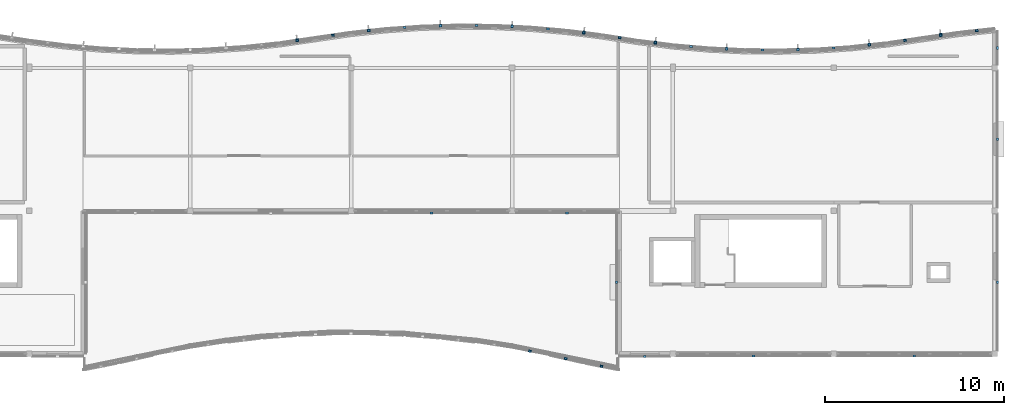
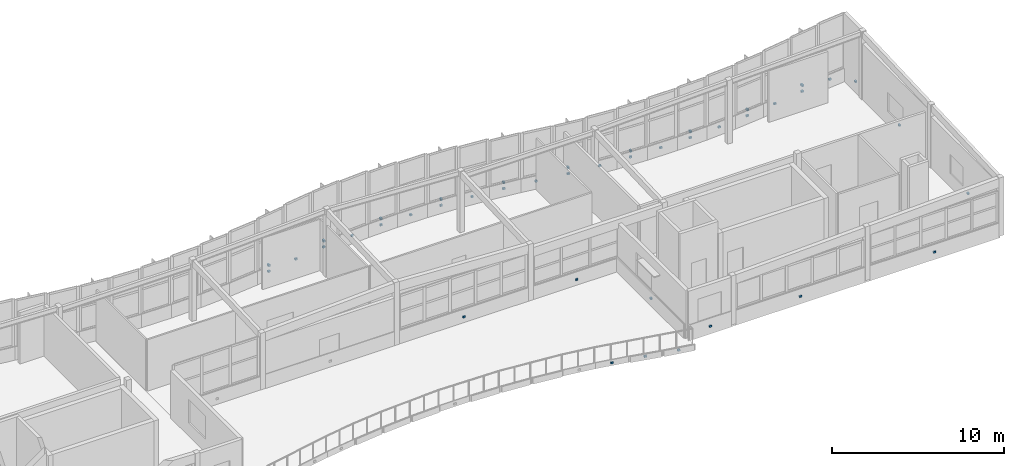
# One storey, part 17 of 20: 42 discrete accessories.
"""IFC4 building model written with IfcOpenShell, lengths in metres."""

from ifc_helpers import new_model, si_unit, direction, frame, origin, origin_2d, place, context, subcontext, project, spatial, rectangle, extrude, material, type_object, element, save


model = new_model("IFC4")

# Units and contexts
model_context = context("Model", 3, precision=1e-05, world=origin(), true_north=direction((0.0, 1.0)))
body_context = subcontext(model_context, "Body", "Model", "MODEL_VIEW")
ifc_project = project(units=[si_unit("LENGTHUNIT", "METRE"), si_unit("AREAUNIT", "SQUARE_METRE"), si_unit("VOLUMEUNIT", "CUBIC_METRE"), si_unit("PLANEANGLEUNIT", "RADIAN"), si_unit("MASSUNIT", "GRAM", prefix="KILO")], contexts=[model_context])

# Site, building, storey
site_placement = place(None, origin())
site = spatial("IfcSite", under=ifc_project, at=site_placement, CompositionType="ELEMENT")
building_placement = place(site_placement, origin())
building = spatial("IfcBuilding", under=site, at=building_placement, Name="Tonlespit Floodbar School", CompositionType="ELEMENT")
storey_placement = place(building_placement, frame((0.0, 0.0, 20.10009765625)))
storey = spatial("IfcBuildingStorey", under=building, at=storey_placement, Name="L05", CompositionType="ELEMENT", Elevation=20.10009765625)

# Discrete accessories
ifc_material = material(Name="Galvanised Steel", Category="steel")
discrete_accessory_type = type_object("IfcDiscreteAccessoryType", Name="Bracket_Facade_S355", PredefinedType="BRACKET", material=ifc_material)
discrete_accessory_1_placement = place(storey_placement, frame((76.981201171875, 121.53271484375, 0.354736328125), z_axis=(0.0, 0.0, 1.0), x_axis=(0.989537627347, 0.144275029245, 0.0)))
element("IfcDiscreteAccessory", 1, at=discrete_accessory_1_placement, inside=storey, type_object=discrete_accessory_type, Name="L05 white band support bracket 0412", PredefinedType="BRACKET", context=body_context, shape_type="SweptSolid", body=[
    extrude(rectangle(XDim=0.159912109375, YDim=0.1201171875, at=origin_2d()), origin(), (0.0, 0.0, 1.0), 0.1201171875),
])
discrete_accessory_2_placement = place(storey_placement, frame((76.979736328125, 121.542724609375, 0.77978515625), z_axis=(0.0, 0.0, 1.0), x_axis=(0.989537627347, 0.144275029245, 0.0)))
element("IfcDiscreteAccessory", 2, at=discrete_accessory_2_placement, inside=storey, type_object=discrete_accessory_type, Name="Solar fin support bracket 101", PredefinedType="BRACKET", context=body_context, shape_type="SweptSolid", body=[
    extrude(rectangle(XDim=0.1201171875, YDim=0.179931640625, at=origin_2d()), origin(), (0.0, 0.0, 1.0), 0.139892578125),
])
for number, where, z_axis, x_axis, name in (
    (3, (78.981201171875, 121.824462890625, 0.354736328125), (0.0, 0.0, 1.0), (0.989537627347, 0.144275029245, 0.0), "L05 white band support bracket 0414"),
    (4, (80.986328125, 122.0771484375, 0.354736328125), (0.0, 0.0, 1.0), (0.99439234017, 0.105753835922, 0.0), "L05 white band support bracket 0416"),
):
    element("IfcDiscreteAccessory", number, at=place(storey_placement, frame(where, z_axis=z_axis, x_axis=x_axis)), inside=storey, type_object=discrete_accessory_type, Name=name, PredefinedType="BRACKET", context=body_context, shape_type="SweptSolid", body=[
        extrude(rectangle(XDim=0.159912109375, YDim=0.1201171875, at=origin_2d()), origin(), (0.0, 0.0, 1.0), 0.1201171875),
    ])
discrete_accessory_3_placement = place(storey_placement, frame((80.985107421875, 122.087158203125, 0.77978515625), z_axis=(0.0, 0.0, 1.0), x_axis=(0.99439234017, 0.105753835922, 0.0)))
element("IfcDiscreteAccessory", 5, at=discrete_accessory_3_placement, inside=storey, type_object=discrete_accessory_type, Name="Solar fin support bracket 102", PredefinedType="BRACKET", context=body_context, shape_type="SweptSolid", body=[
    extrude(rectangle(XDim=0.1201171875, YDim=0.179931640625, at=origin_2d()), origin(), (0.0, 0.0, 1.0), 0.139892578125),
])
for number, where, z_axis, x_axis, name in (
    (6, (82.9912109375, 122.25146484375, 0.354736328125), (0.0, 0.0, 1.0), (0.997729639049, 0.067346621018, 0.0), "L05 white band support bracket 0418"),
    (7, (84.996337890625, 122.34814453125, 0.354736328125), (0.0, 0.0, 1.0), (0.999584110869, 0.02883756748, 0.0), "L05 white band support bracket 0420"),
):
    element("IfcDiscreteAccessory", number, at=place(storey_placement, frame(where, z_axis=z_axis, x_axis=x_axis)), inside=storey, type_object=discrete_accessory_type, Name=name, PredefinedType="BRACKET", context=body_context, shape_type="SweptSolid", body=[
        extrude(rectangle(XDim=0.159912109375, YDim=0.1201171875, at=origin_2d()), origin(), (0.0, 0.0, 1.0), 0.1201171875),
    ])
discrete_accessory_4_placement = place(storey_placement, frame((84.99609375, 122.358154296875, 0.77978515625), z_axis=(0.0, 0.0, 1.0), x_axis=(0.999584110869, 0.02883756748, 0.0)))
element("IfcDiscreteAccessory", 8, at=discrete_accessory_4_placement, inside=storey, type_object=discrete_accessory_type, Name="Solar fin support bracket 103", PredefinedType="BRACKET", context=body_context, shape_type="SweptSolid", body=[
    extrude(rectangle(XDim=0.1201171875, YDim=0.179931640625, at=origin_2d()), origin(), (0.0, 0.0, 1.0), 0.139892578125),
])
for number, where, z_axis, x_axis, name in (
    (9, (87.001220703125, 122.367431640625, 0.354736328125), (0.0, 0.0, 1.0), (0.999953926969, -0.009599163462, 0.0), "L05 white band support bracket 0422"),
    (10, (89.00634765625, 122.3095703125, 0.354736328125), (0.0, 0.0, 1.0), (0.998842769234, -0.048094930587, 0.0), "L05 white band support bracket 0424"),
):
    element("IfcDiscreteAccessory", number, at=place(storey_placement, frame(where, z_axis=z_axis, x_axis=x_axis)), inside=storey, type_object=discrete_accessory_type, Name=name, PredefinedType="BRACKET", context=body_context, shape_type="SweptSolid", body=[
        extrude(rectangle(XDim=0.159912109375, YDim=0.1201171875, at=origin_2d()), origin(), (0.0, 0.0, 1.0), 0.1201171875),
    ])
discrete_accessory_5_placement = place(storey_placement, frame((89.006591796875, 122.319580078125, 0.77978515625), z_axis=(0.0, 0.0, 1.0), x_axis=(0.998842769234, -0.048094930587, 0.0)))
element("IfcDiscreteAccessory", 11, at=discrete_accessory_5_placement, inside=storey, type_object=discrete_accessory_type, Name="Solar fin support bracket 104", PredefinedType="BRACKET", context=body_context, shape_type="SweptSolid", body=[
    extrude(rectangle(XDim=0.1201171875, YDim=0.179931640625, at=origin_2d()), origin(), (0.0, 0.0, 1.0), 0.139892578125),
])
for number, where, z_axis, x_axis, name in (
    (12, (91.01123046875, 122.174072265625, 0.354736328125), (0.0, 0.0, 1.0), (0.996245486492, -0.086573267488, 0.0), "L05 white band support bracket 0426"),
    (13, (93.016357421875, 121.960693359375, 0.354736328125), (0.0, 0.0, 1.0), (0.99215533612, -0.125011155539, 0.0), "L05 white band support bracket 0428"),
):
    element("IfcDiscreteAccessory", number, at=place(storey_placement, frame(where, z_axis=z_axis, x_axis=x_axis)), inside=storey, type_object=discrete_accessory_type, Name=name, PredefinedType="BRACKET", context=body_context, shape_type="SweptSolid", body=[
        extrude(rectangle(XDim=0.159912109375, YDim=0.1201171875, at=origin_2d()), origin(), (0.0, 0.0, 1.0), 0.1201171875),
    ])
discrete_accessory_6_placement = place(storey_placement, frame((93.017578125, 121.970703125, 0.77978515625), z_axis=(0.0, 0.0, 1.0), x_axis=(0.99215533612, -0.125011155539, 0.0)))
element("IfcDiscreteAccessory", 14, at=discrete_accessory_6_placement, inside=storey, type_object=discrete_accessory_type, Name="Solar fin support bracket 105", PredefinedType="BRACKET", context=body_context, shape_type="SweptSolid", body=[
    extrude(rectangle(XDim=0.1201171875, YDim=0.179931640625, at=origin_2d()), origin(), (0.0, 0.0, 1.0), 0.139892578125),
])
for number, where, z_axis, x_axis, name in (
    (15, (95.02001953125, 121.678466796875, 0.354736328125), (0.0, 0.0, 1.0), (0.988094768361, -0.153846445322, 0.0), "L05 white band support bracket 0430"),
    (16, (97.016357421875, 121.397216796875, 0.354736328125), (0.0, 0.0, 1.0), (0.99215533612, -0.125011155539, 0.0), "L05 white band support bracket 0432"),
):
    element("IfcDiscreteAccessory", number, at=place(storey_placement, frame(where, z_axis=z_axis, x_axis=x_axis)), inside=storey, type_object=discrete_accessory_type, Name=name, PredefinedType="BRACKET", context=body_context, shape_type="SweptSolid", body=[
        extrude(rectangle(XDim=0.159912109375, YDim=0.1201171875, at=origin_2d()), origin(), (0.0, 0.0, 1.0), 0.1201171875),
    ])
discrete_accessory_7_placement = place(storey_placement, frame((97.017578125, 121.4072265625, 0.77978515625), z_axis=(0.0, 0.0, 1.0), x_axis=(0.99215533612, -0.125011155539, 0.0)))
element("IfcDiscreteAccessory", 17, at=discrete_accessory_7_placement, inside=storey, type_object=discrete_accessory_type, Name="Solar fin support bracket 106", PredefinedType="BRACKET", context=body_context, shape_type="SweptSolid", body=[
    extrude(rectangle(XDim=0.1201171875, YDim=0.179931640625, at=origin_2d()), origin(), (0.0, 0.0, 1.0), 0.139892578125),
])
for number, where, z_axis, x_axis, name in (
    (18, (99.01123046875, 121.184814453125, 0.354736328125), (0.0, 0.0, 1.0), (0.996245486492, -0.086573267488, 0.0), "L05 white band support bracket 0434"),
    (19, (101.00634765625, 121.05029296875, 0.354736328125), (0.0, 0.0, 1.0), (0.998842769234, -0.048094930587, 0.0), "L05 white band support bracket 0436"),
):
    element("IfcDiscreteAccessory", number, at=place(storey_placement, frame(where, z_axis=z_axis, x_axis=x_axis)), inside=storey, type_object=discrete_accessory_type, Name=name, PredefinedType="BRACKET", context=body_context, shape_type="SweptSolid", body=[
        extrude(rectangle(XDim=0.159912109375, YDim=0.1201171875, at=origin_2d()), origin(), (0.0, 0.0, 1.0), 0.1201171875),
    ])
discrete_accessory_8_placement = place(storey_placement, frame((101.006591796875, 121.060302734375, 0.77978515625), z_axis=(0.0, 0.0, 1.0), x_axis=(0.998842769234, -0.048094930587, 0.0)))
element("IfcDiscreteAccessory", 20, at=discrete_accessory_8_placement, inside=storey, type_object=discrete_accessory_type, Name="Solar fin support bracket 107", PredefinedType="BRACKET", context=body_context, shape_type="SweptSolid", body=[
    extrude(rectangle(XDim=0.1201171875, YDim=0.179931640625, at=origin_2d()), origin(), (0.0, 0.0, 1.0), 0.139892578125),
])
for number, where, z_axis, x_axis, name in (
    (21, (103.001220703125, 120.99267578125, 0.354736328125), (0.0, 0.0, 1.0), (0.999953926969, -0.009599163462, 0.0), "L05 white band support bracket 0438"),
    (22, (104.996337890625, 121.01171875, 0.354736328125), (0.0, 0.0, 1.0), (0.999584110869, 0.02883756748, 0.0), "L05 white band support bracket 0440"),
):
    element("IfcDiscreteAccessory", number, at=place(storey_placement, frame(where, z_axis=z_axis, x_axis=x_axis)), inside=storey, type_object=discrete_accessory_type, Name=name, PredefinedType="BRACKET", context=body_context, shape_type="SweptSolid", body=[
        extrude(rectangle(XDim=0.159912109375, YDim=0.1201171875, at=origin_2d()), origin(), (0.0, 0.0, 1.0), 0.1201171875),
    ])
discrete_accessory_9_placement = place(storey_placement, frame((104.99609375, 121.021728515625, 0.77978515625), z_axis=(0.0, 0.0, 1.0), x_axis=(0.999584110869, 0.02883756748, 0.0)))
element("IfcDiscreteAccessory", 23, at=discrete_accessory_9_placement, inside=storey, type_object=discrete_accessory_type, Name="Solar fin support bracket 108", PredefinedType="BRACKET", context=body_context, shape_type="SweptSolid", body=[
    extrude(rectangle(XDim=0.1201171875, YDim=0.179931640625, at=origin_2d()), origin(), (0.0, 0.0, 1.0), 0.139892578125),
])
for number, where, z_axis, x_axis, name in (
    (24, (106.9912109375, 121.10791015625, 0.354736328125), (0.0, 0.0, 1.0), (0.997729639049, 0.067346621018, 0.0), "L05 white band support bracket 0442"),
    (25, (108.986328125, 121.28125, 0.354736328125), (0.0, 0.0, 1.0), (0.99439234017, 0.105753835922, 0.0), "L05 white band support bracket 0444"),
):
    element("IfcDiscreteAccessory", number, at=place(storey_placement, frame(where, z_axis=z_axis, x_axis=x_axis)), inside=storey, type_object=discrete_accessory_type, Name=name, PredefinedType="BRACKET", context=body_context, shape_type="SweptSolid", body=[
        extrude(rectangle(XDim=0.159912109375, YDim=0.1201171875, at=origin_2d()), origin(), (0.0, 0.0, 1.0), 0.1201171875),
    ])
discrete_accessory_10_placement = place(storey_placement, frame((108.985107421875, 121.291259765625, 0.77978515625), z_axis=(0.0, 0.0, 1.0), x_axis=(0.99439234017, 0.105753835922, 0.0)))
element("IfcDiscreteAccessory", 26, at=discrete_accessory_10_placement, inside=storey, type_object=discrete_accessory_type, Name="Solar fin support bracket 109", PredefinedType="BRACKET", context=body_context, shape_type="SweptSolid", body=[
    extrude(rectangle(XDim=0.1201171875, YDim=0.179931640625, at=origin_2d()), origin(), (0.0, 0.0, 1.0), 0.139892578125),
])
for number, where, z_axis, x_axis, name in (
    (27, (110.981201171875, 121.53271484375, 0.354736328125), (0.0, 0.0, 1.0), (0.989537627347, 0.144275029245, 0.0), "L05 white band support bracket 0446"),
    (28, (112.981201171875, 121.824462890625, 0.354736328125), (0.0, 0.0, 1.0), (0.989537627347, 0.144275029245, 0.0), "L05 white band support bracket 0448"),
):
    element("IfcDiscreteAccessory", number, at=place(storey_placement, frame(where, z_axis=z_axis, x_axis=x_axis)), inside=storey, type_object=discrete_accessory_type, Name=name, PredefinedType="BRACKET", context=body_context, shape_type="SweptSolid", body=[
        extrude(rectangle(XDim=0.159912109375, YDim=0.1201171875, at=origin_2d()), origin(), (0.0, 0.0, 1.0), 0.1201171875),
    ])
discrete_accessory_11_placement = place(storey_placement, frame((112.979736328125, 121.834228515625, 0.77978515625), z_axis=(0.0, 0.0, 1.0), x_axis=(0.989537627347, 0.144275029245, 0.0)))
element("IfcDiscreteAccessory", 29, at=discrete_accessory_11_placement, inside=storey, type_object=discrete_accessory_type, Name="Solar fin support bracket 110", PredefinedType="BRACKET", context=body_context, shape_type="SweptSolid", body=[
    extrude(rectangle(XDim=0.1201171875, YDim=0.179931640625, at=origin_2d()), origin(), (0.0, 0.0, 1.0), 0.139892578125),
])
for number, where, z_axis, x_axis, name in (
    (30, (114.986328125, 122.0771484375, 0.354736328125), (0.0, 0.0, 1.0), (0.99439234017, 0.105753835922, 0.0), "L05 white band support bracket 0450"),
    (31, (111.5, 103.8701171875, 0.354736328125), (0.0, 0.0, 1.0), (-1.0, 0.0, 0.0), "L05 white band support bracket 0452"),
    (32, (102.5, 103.8701171875, 0.354736328125), (0.0, 0.0, 1.0), (-1.0, 0.0, 0.0), "L05 white band support bracket 0453"),
    (33, (96.419921875, 103.85009765625, 0.3798828125), (0.0, 0.0, 1.0), (-1.0, 0.0, 0.0), "L05 white band support bracket 0454"),
    (34, (94.85009765625, 108.0, 0.3798828125), (0.0, 0.0, 1.0), (0.0, 1.0, 0.0), "L05 white band support bracket 0455"),
    (35, (92.080078125, 111.8701171875, 0.354736328125), (0.0, 0.0, 1.0), (-1.0, 0.0, 0.0), "L05 white band support bracket 0456"),
    (36, (84.5, 111.8701171875, 0.354736328125), (0.0, 0.0, 1.0), (-1.0, 0.0, 0.0), "L05 white band support bracket 0457"),
    (37, (116.14990234375, 108.0, 0.3798828125), (0.0, 0.0, 1.0), (0.0, -1.0, 0.0), "L05 white band support bracket 0467"),
    (38, (116.14990234375, 116.0, 0.3798828125), (0.0, 0.0, 1.0), (0.0, -1.0, 0.0), "L05 white band support bracket 0468"),
    (39, (116.14990234375, 121.107177734375, 0.3798828125), (0.0, 0.0, 1.0), (0.0, -1.0, 0.0), "L05 white band support bracket 0469"),
    (40, (90.0, 104.15283203125, -0.150146484375), (0.0, 0.0, 1.0), (0.981328264706, -0.19234041928, 0.0), "L05 white band support bracket 0482"),
    (41, (92.0, 103.72998046875, -0.150146484375), (0.0, 0.0, 1.0), (0.975232420789, -0.221182561341, 0.0), "L05 white band support bracket 0483"),
    (42, (94.0, 103.30712890625, -0.150146484375), (0.0, 0.0, 1.0), (0.981328264706, -0.19234041928, 0.0), "L05 white band support bracket 0484"),
):
    element("IfcDiscreteAccessory", number, at=place(storey_placement, frame(where, z_axis=z_axis, x_axis=x_axis)), inside=storey, type_object=discrete_accessory_type, Name=name, PredefinedType="BRACKET", context=body_context, shape_type="SweptSolid", body=[
        extrude(rectangle(XDim=0.159912109375, YDim=0.1201171875, at=origin_2d()), origin(), (0.0, 0.0, 1.0), 0.1201171875),
    ])

save(model, "model.ifc")
